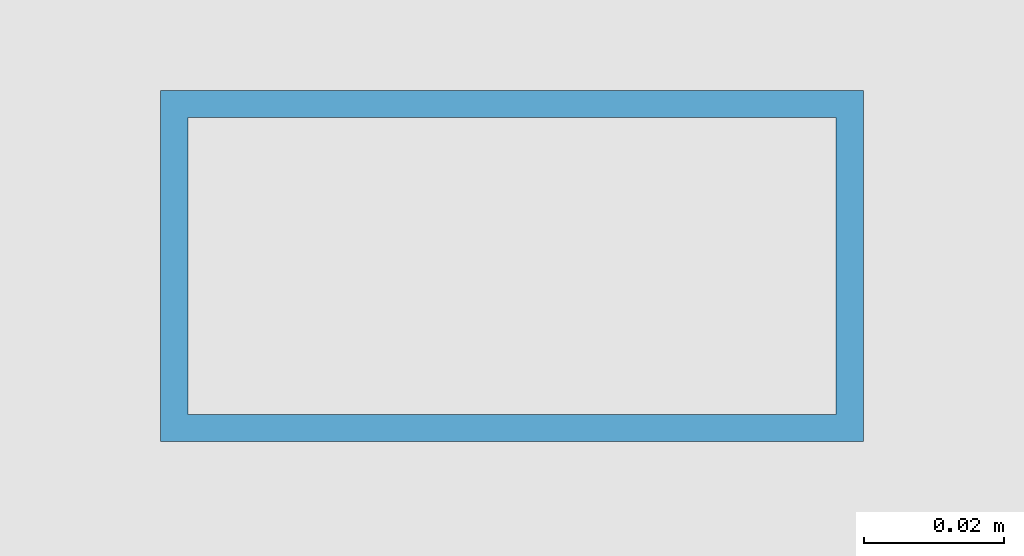
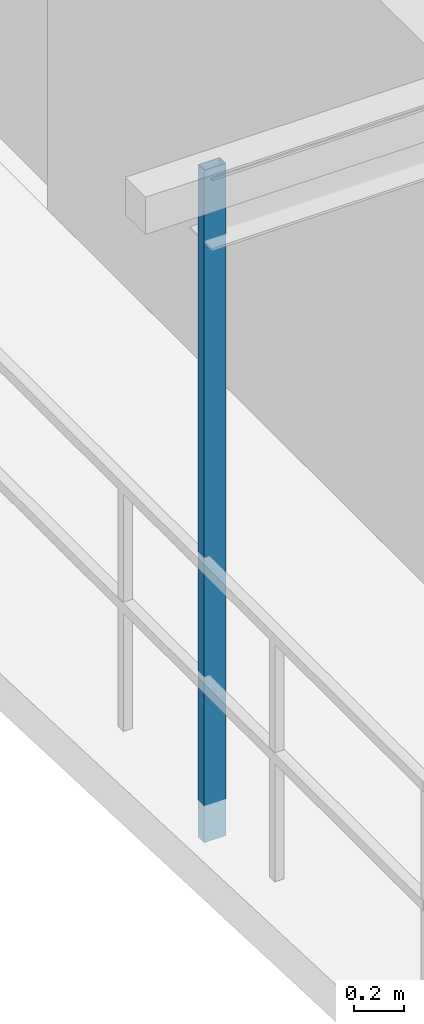
# One storey, part 3 of 15: 1 member.
"""IFC4 building model written with IfcOpenShell, lengths in metres."""

from ifc_helpers import new_model, si_unit, direction, frame, origin, origin_2d, place, context, subcontext, project, spatial, hollow_rectangle, extrude, source, transform, mapped, material, material_profile, profile_set, type_object, element, save


model = new_model("IFC4")

# Units and contexts
model_context = context("Model", 3, precision=1e-05, world=origin(), true_north=direction((0.0, 1.0)))
body_context = subcontext(model_context, "Body", "Model", "MODEL_VIEW")
ifc_project = project(units=[si_unit("LENGTHUNIT", "METRE"), si_unit("AREAUNIT", "SQUARE_METRE"), si_unit("VOLUMEUNIT", "CUBIC_METRE"), si_unit("PLANEANGLEUNIT", "RADIAN"), si_unit("MASSUNIT", "GRAM", prefix="KILO"), si_unit("THERMODYNAMICTEMPERATUREUNIT", "KELVIN"), si_unit("POWERUNIT", "WATT")], contexts=[model_context])

# Site, building, storey
site_placement = place(None, origin())
site = spatial("IfcSite", under=ifc_project, at=site_placement, CompositionType="ELEMENT")
building_placement = place(site_placement, origin())
building = spatial("IfcBuilding", under=site, at=building_placement, Name="Qiaomeng Ring Towers", CompositionType="ELEMENT")
storey_placement = place(building_placement, frame((0.0, 0.0, 226.25)))
storey = spatial("IfcBuildingStorey", under=building, at=storey_placement, Name="L66", CompositionType="ELEMENT", Elevation=226.25)

# Member
ifc_material = material(Name="Stainless steel 316", Category="steel")
ifc_material_profile = material_profile(ifc_material, hollow_rectangle(XDim=0.050048828125, YDim=0.10009765625, WallThickness=0.00390625, at=origin_2d()), Name="SS TRELLIS 100x50")
ifc_profile_set = profile_set([ifc_material_profile], Name="Stainless steel 316")
member_type = type_object("IfcMemberType", Name="ARC-TR-POST2", PredefinedType="STUD", material=ifc_profile_set)
shared_shape = source(origin(), body_context, "Body", "SweptSolid", [
    extrude(hollow_rectangle(XDim=0.050048828125, YDim=0.10009765625, WallThickness=0.00390625, at=origin_2d()), origin(), (0.0, 0.0, 1.0), 3.25),
])
member_placement = place(storey_placement, frame((0.72998046875, 20.0, -0.179931640625), z_axis=(0.0, 0.0, 1.0), x_axis=(0.0, 1.0, 0.0)))
element("IfcMember", 1, at=member_placement, inside=storey, type_object=member_type, Name="L66 Outer Ventilated Trellis Post W", PredefinedType="STUD", context=body_context, shape_type="MappedRepresentation", body=[
    mapped(shared_shape, transform((0.0, 0.0, 0.0), x_axis=(1.0, 0.0, 0.0), y_axis=(0.0, 1.0, 0.0), z_axis=(0.0, 0.0, 1.0), scale=1.0)),
])

save(model, "model.ifc")
